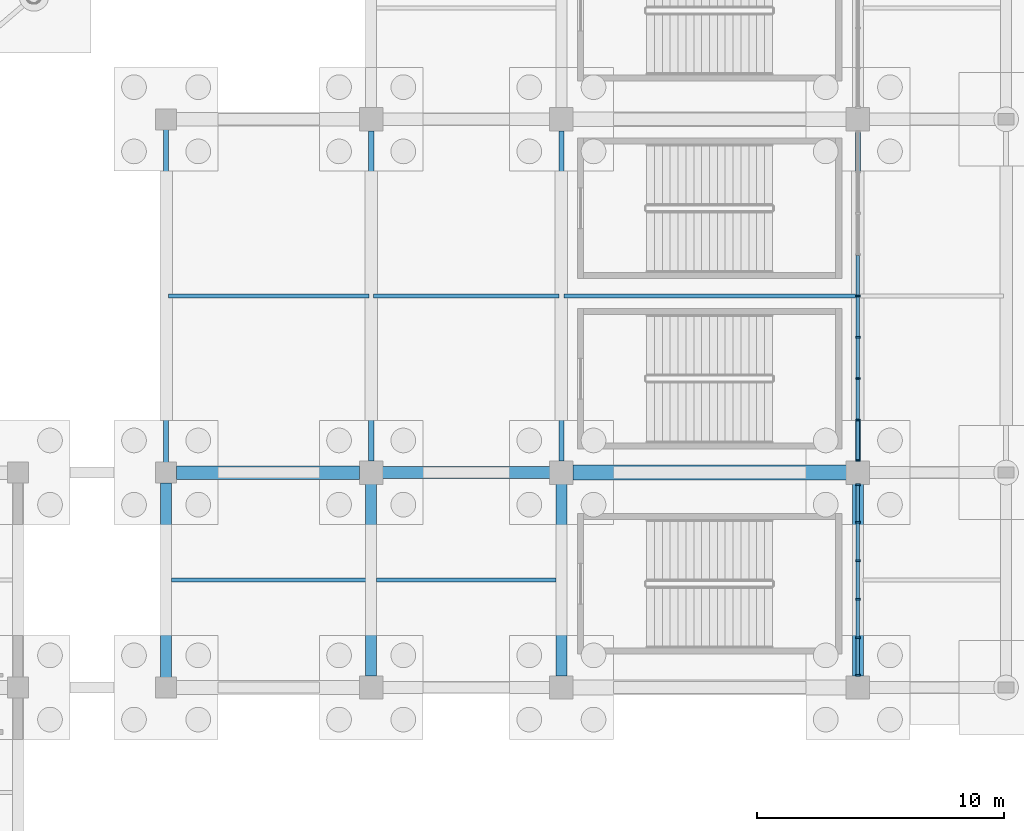
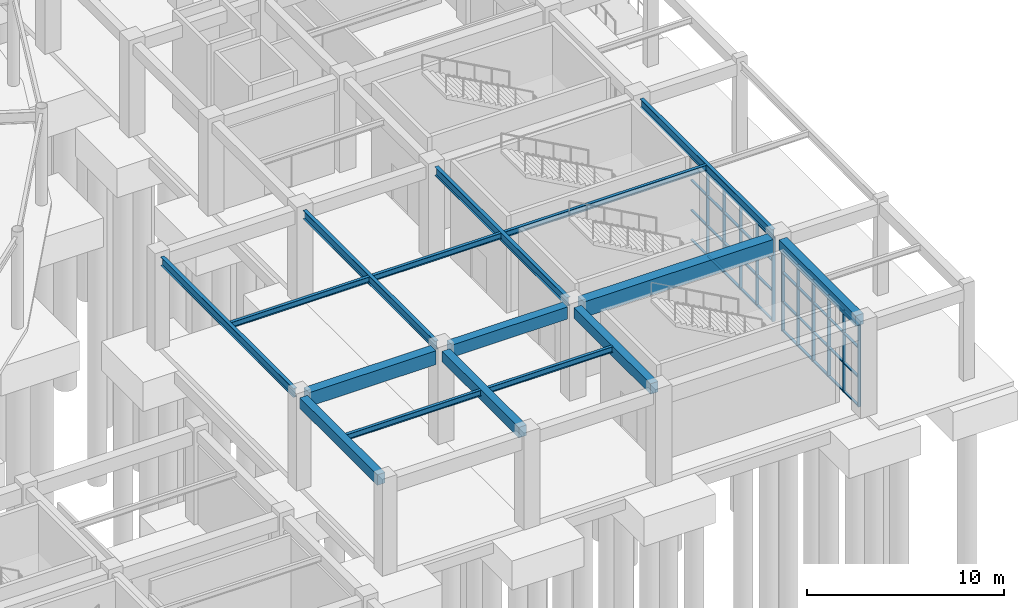
# One storey, part 53 of 121: 50 members, 16 beams, 2 elements without a shape of their own.
"""IFC4 building model written with IfcOpenShell, lengths in metres."""

from ifc_helpers import new_model, si_unit, direction, frame, origin, origin_2d, place, context, subcontext, project, spatial, rectangle, i_section, extrude, material, material_profile, profile_set, type_object, element, aggregate, save


model = new_model("IFC4")

# Units and contexts
model_context = context("Model", 3, precision=1e-05, world=origin(), true_north=direction((0.0, 1.0)))
body_context = subcontext(model_context, "Body", "Model", "MODEL_VIEW")
ifc_project = project(units=[si_unit("LENGTHUNIT", "METRE"), si_unit("AREAUNIT", "SQUARE_METRE"), si_unit("VOLUMEUNIT", "CUBIC_METRE"), si_unit("PLANEANGLEUNIT", "RADIAN"), si_unit("MASSUNIT", "GRAM", prefix="KILO")], contexts=[model_context])

# Site, building, storey
site_placement = place(None, origin())
site = spatial("IfcSite", under=ifc_project, at=site_placement, CompositionType="ELEMENT")
building_placement = place(site_placement, origin())
building = spatial("IfcBuilding", under=site, at=building_placement, Name="Cuetzalor Civic Arena", CompositionType="ELEMENT")
storey_placement = place(building_placement, origin())
storey = spatial("IfcBuildingStorey", under=building, at=storey_placement, Name="L00", CompositionType="ELEMENT", Elevation=0.0)

# Beams
ifc_material_1 = material(Name="Concrete C40/50", Category="concrete")
ifc_material_profile_1 = material_profile(ifc_material_1, rectangle(XDim=0.5, YDim=0.75, at=origin_2d()), Name="RC 500x750")
ifc_profile_set_1 = profile_set([ifc_material_profile_1], Name="Concrete C40/50")
beam_type_1 = type_object("IfcBeamType", Name="ConcreteFrameBeam_500x750", PredefinedType="BEAM", material=ifc_profile_set_1)
beam_1_placement = place(storey_placement, frame((56.764892578125, -48.300048828125, 5.324951171875), z_axis=(1.0, 0.0, 0.0), x_axis=(0.0, 1.0, 0.0)))
element("IfcBeam", 1, at=beam_1_placement, inside=storey, type_object=beam_type_1, Name="Frame Girder V4E-L00-X0140", PredefinedType="BEAM", context=body_context, shape_type="SweptSolid", body=[
    extrude(rectangle(XDim=0.5, YDim=0.75, at=origin_2d()), origin(), (0.0, 0.0, 1.0), 6.77001953125),
])
ifc_material_2 = material(Name="Concrete C40/50", Category="concrete")
ifc_material_profile_2 = material_profile(ifc_material_2, rectangle(XDim=0.550048828125, YDim=0.85009765625, at=origin_2d()), Name="RC 550x850")
ifc_profile_set_2 = profile_set([ifc_material_profile_2], Name="Concrete C40/50")
beam_type_2 = type_object("IfcBeamType", Name="ConcreteFrameBeam_550x850", PredefinedType="BEAM", material=ifc_profile_set_2)
beam_2_placement = place(storey_placement, frame((48.4150390625, -48.300048828125, 5.27490234375), z_axis=(1.0, 0.0, 0.0), x_axis=(0.0, 1.0, 0.0)))
element("IfcBeam", 2, at=beam_2_placement, inside=storey, type_object=beam_type_2, Name="Frame Girder V4E-L00-X0139", PredefinedType="BEAM", context=body_context, shape_type="SweptSolid", body=[
    extrude(rectangle(XDim=0.550048828125, YDim=0.85009765625, at=origin_2d()), origin(), (0.0, 0.0, 1.0), 7.419921875),
])
ifc_material_3 = material(Name="Concrete C40/50", Category="concrete")
ifc_material_profile_3 = material_profile(ifc_material_3, rectangle(XDim=0.60009765625, YDim=0.949951171875, at=origin_2d()), Name="RC 600x950")
ifc_profile_set_3 = profile_set([ifc_material_profile_3], Name="Concrete C40/50")
beam_type_3 = type_object("IfcBeamType", Name="ConcreteFrameBeam_600x950", PredefinedType="BEAM", material=ifc_profile_set_3)
beam_3_placement = place(storey_placement, frame((64.465087890625, -48.300048828125, 5.22509765625), z_axis=(1.0, 0.0, 0.0), x_axis=(0.0, 1.0, 0.0)))
element("IfcBeam", 3, at=beam_3_placement, inside=storey, type_object=beam_type_3, Name="Frame Girder V4E-L00-X0141", PredefinedType="BEAM", context=body_context, shape_type="SweptSolid", body=[
    extrude(rectangle(XDim=0.60009765625, YDim=0.949951171875, at=origin_2d()), origin(), (0.0, 0.0, 1.0), 11.06982421875),
])
ifc_material_4 = material(Name="Concrete C40/50", Category="concrete")
ifc_material_profile_4 = material_profile(ifc_material_4, rectangle(XDim=0.449951171875, YDim=0.64990234375, at=origin_2d()), Name="RC 450x650")
ifc_profile_set_4 = profile_set([ifc_material_profile_4], Name="Concrete C40/50")
beam_type_4 = type_object("IfcBeamType", Name="ConcreteTieBeam_450x650", PredefinedType="BEAM", material=ifc_profile_set_4)
beam_4_placement = place(storey_placement, frame((48.0, -56.5849609375, 5.375), z_axis=(0.0, 1.0, 0.0), x_axis=(-1.0, 0.0, 0.0)))
element("IfcBeam", 4, at=beam_4_placement, inside=storey, type_object=beam_type_4, Name="Frame Girder V4E-L00-Y0171", PredefinedType="BEAM", context=body_context, shape_type="SweptSolid", body=[
    extrude(rectangle(XDim=0.449951171875, YDim=0.64990234375, at=origin_2d()), origin(), (0.0, 0.0, 1.0), 7.869873046875),
])
for number, where, z_axis, x_axis, name in (
    (5, (56.300048828125, -56.534912109375, 5.375), (0.0, 1.0, 0.0), (-1.0, 0.0, 0.0), "Frame Girder V4E-L00-Y0173"),
    (6, (64.0, -56.534912109375, 5.375), (0.0, 1.0, 0.0), (-1.0, 0.0, 0.0), "Frame Girder V4E-L00-Y0183"),
    (7, (76.0, -56.534912109375, 5.375), (0.0, 1.0, 0.0), (-1.0, 0.0, 0.0), "Frame Girder V4E-L00-Y0193"),
):
    element("IfcBeam", number, at=place(storey_placement, frame(where, z_axis=z_axis, x_axis=x_axis)), inside=storey, type_object=beam_type_4, Name=name, PredefinedType="BEAM", context=body_context, shape_type="SweptSolid", body=[
        extrude(rectangle(XDim=0.449951171875, YDim=0.64990234375, at=origin_2d()), origin(), (0.0, 0.0, 1.0), 7.77001953125),
    ])

# Curtain wall, members
ifc_material_5 = material(Name="Anodised dark bronze aluminium and low-E solar glass", Category="aluminium")
curtain_wall_type_1 = type_object("IfcCurtainWallType", Name="UnitisedCW_7800x5050", PredefinedType="USERDEFINED", material=ifc_material_5)
curtain_wall_1_placement = place(storey_placement, origin())
curtain_wall_1 = element("IfcCurtainWall", 8, at=curtain_wall_1_placement, inside=storey, type_object=curtain_wall_type_1, Name="V4E Colonnade Curtain Wall L00-130", ObjectType="UNITISED CURTAIN WALL", PredefinedType="USERDEFINED")
ifc_material_6 = material(Name="Anodised dark bronze aluminium", Category="aluminium")
ifc_material_profile_5 = material_profile(ifc_material_6, rectangle(XDim=0.070068359375, YDim=0.179931640625, at=origin_2d()), Name="ALU MULLION 70x180")
ifc_profile_set_5 = profile_set([ifc_material_profile_5], Name="Anodised dark bronze aluminium")
member_type_1 = type_object("IfcMemberType", Name="CurtainWallMullion_65x180", PredefinedType="MULLION", material=ifc_profile_set_5)
member_1_placement = place(storey_placement, frame((76.0, -48.7919921875, 0.0), z_axis=(0.0, 0.0, 1.0), x_axis=(0.0, -1.0, 0.0)))
member_1 = element("IfcMember", 9, at=member_1_placement, type_object=member_type_1, Name="CW-31 mullion 1", PredefinedType="MULLION", context=body_context, shape_type="SweptSolid", body=[
    extrude(rectangle(XDim=0.070068359375, YDim=0.179931640625, at=origin_2d()), origin(), (0.0, 0.0, 1.0), 5.0400390625),
])
member_2_placement = place(storey_placement, frame((76.0, -50.314208984375, 0.0), z_axis=(0.0, 0.0, 1.0), x_axis=(0.0, -1.0, 0.0)))
member_2 = element("IfcMember", 10, at=member_2_placement, type_object=member_type_1, Name="CW-31 mullion 2", PredefinedType="MULLION", context=body_context, shape_type="SweptSolid", body=[
    extrude(rectangle(XDim=0.070068359375, YDim=0.179931640625, at=origin_2d()), origin(), (0.0, 0.0, 1.0), 5.0400390625),
])
member_3_placement = place(storey_placement, frame((76.0, -51.871337890625, 0.0), z_axis=(0.0, 0.0, 1.0), x_axis=(0.0, -1.0, 0.0)))
member_3 = element("IfcMember", 11, at=member_3_placement, type_object=member_type_1, Name="CW-31 mullion 3", PredefinedType="MULLION", context=body_context, shape_type="SweptSolid", body=[
    extrude(rectangle(XDim=0.070068359375, YDim=0.179931640625, at=origin_2d()), origin(), (0.0, 0.0, 1.0), 5.0400390625),
])
member_4_placement = place(storey_placement, frame((76.0, -53.4287109375, 0.0), z_axis=(0.0, 0.0, 1.0), x_axis=(0.0, -1.0, 0.0)))
member_4 = element("IfcMember", 12, at=member_4_placement, type_object=member_type_1, Name="CW-31 mullion 4", PredefinedType="MULLION", context=body_context, shape_type="SweptSolid", body=[
    extrude(rectangle(XDim=0.070068359375, YDim=0.179931640625, at=origin_2d()), origin(), (0.0, 0.0, 1.0), 5.0400390625),
])
member_5_placement = place(storey_placement, frame((76.0, -54.98583984375, 0.0), z_axis=(0.0, 0.0, 1.0), x_axis=(0.0, -1.0, 0.0)))
member_5 = element("IfcMember", 13, at=member_5_placement, type_object=member_type_1, Name="CW-31 mullion 5", PredefinedType="MULLION", context=body_context, shape_type="SweptSolid", body=[
    extrude(rectangle(XDim=0.070068359375, YDim=0.179931640625, at=origin_2d()), origin(), (0.0, 0.0, 1.0), 5.0400390625),
])
member_6_placement = place(storey_placement, frame((76.0, -56.508056640625, 0.0), z_axis=(0.0, 0.0, 1.0), x_axis=(0.0, -1.0, 0.0)))
member_6 = element("IfcMember", 14, at=member_6_placement, type_object=member_type_1, Name="CW-31 mullion 6", PredefinedType="MULLION", context=body_context, shape_type="SweptSolid", body=[
    extrude(rectangle(XDim=0.070068359375, YDim=0.179931640625, at=origin_2d()), origin(), (0.0, 0.0, 1.0), 5.0400390625),
])

ifc_material_7 = material(Name="Anodised dark bronze aluminium and low-E solar glass", Category="aluminium")
curtain_wall_type_2 = type_object("IfcCurtainWallType", Name="UnitisedCW_13400x5150", PredefinedType="USERDEFINED", material=ifc_material_7)
curtain_wall_2_placement = place(storey_placement, origin())
curtain_wall_2 = element("IfcCurtainWall", 15, at=curtain_wall_2_placement, inside=storey, type_object=curtain_wall_type_2, Name="V4E Colonnade Curtain Wall L00-131", ObjectType="UNITISED CURTAIN WALL", PredefinedType="USERDEFINED")
member_7_placement = place(storey_placement, frame((76.0, -41.14990234375, 0.0), z_axis=(0.0, 0.0, 1.0), x_axis=(0.0, -1.0, 0.0)))
member_7 = element("IfcMember", 16, at=member_7_placement, type_object=member_type_1, Name="CW-32 mullion 5", PredefinedType="MULLION", context=body_context, shape_type="SweptSolid", body=[
    extrude(rectangle(XDim=0.070068359375, YDim=0.179931640625, at=origin_2d()), origin(), (0.0, 0.0, 1.0), 5.156982421875),
])
member_8_placement = place(storey_placement, frame((76.0, -42.8232421875, 0.0), z_axis=(0.0, 0.0, 1.0), x_axis=(0.0, -1.0, 0.0)))
member_8 = element("IfcMember", 17, at=member_8_placement, type_object=member_type_1, Name="CW-32 mullion 6", PredefinedType="MULLION", context=body_context, shape_type="SweptSolid", body=[
    extrude(rectangle(XDim=0.070068359375, YDim=0.179931640625, at=origin_2d()), origin(), (0.0, 0.0, 1.0), 5.156982421875),
])
member_9_placement = place(storey_placement, frame((76.0, -44.49658203125, 0.0), z_axis=(0.0, 0.0, 1.0), x_axis=(0.0, -1.0, 0.0)))
member_9 = element("IfcMember", 18, at=member_9_placement, type_object=member_type_1, Name="CW-32 mullion 7", PredefinedType="MULLION", context=body_context, shape_type="SweptSolid", body=[
    extrude(rectangle(XDim=0.070068359375, YDim=0.179931640625, at=origin_2d()), origin(), (0.0, 0.0, 1.0), 5.156982421875),
])
member_10_placement = place(storey_placement, frame((76.0, -46.169677734375, 0.0), z_axis=(0.0, 0.0, 1.0), x_axis=(0.0, -1.0, 0.0)))
member_10 = element("IfcMember", 19, at=member_10_placement, type_object=member_type_1, Name="CW-32 mullion 8", PredefinedType="MULLION", context=body_context, shape_type="SweptSolid", body=[
    extrude(rectangle(XDim=0.070068359375, YDim=0.179931640625, at=origin_2d()), origin(), (0.0, 0.0, 1.0), 5.156982421875),
])
member_11_placement = place(storey_placement, frame((76.0, -47.80810546875, 0.0), z_axis=(0.0, 0.0, 1.0), x_axis=(0.0, -1.0, 0.0)))
member_11 = element("IfcMember", 20, at=member_11_placement, type_object=member_type_1, Name="CW-32 mullion 9", PredefinedType="MULLION", context=body_context, shape_type="SweptSolid", body=[
    extrude(rectangle(XDim=0.070068359375, YDim=0.179931640625, at=origin_2d()), origin(), (0.0, 0.0, 1.0), 5.156982421875),
])

# Member
ifc_material_8 = material(Name="Anodised dark bronze aluminium", Category="aluminium")
ifc_material_profile_6 = material_profile(ifc_material_8, rectangle(XDim=0.139892578125, YDim=0.070068359375, at=origin_2d()), Name="ALU TRANSOM 70x140")
ifc_profile_set_6 = profile_set([ifc_material_profile_6], Name="Anodised dark bronze aluminium")
member_type_2 = type_object("IfcMemberType", Name="CurtainWallTransom_65x140", PredefinedType="USERDEFINED", material=ifc_profile_set_6)
member_12_placement = place(storey_placement, frame((76.0, -48.826904296875, 0.034912109375), z_axis=(0.0, -1.0, 0.0), x_axis=(1.0, 0.0, 0.0)))
member_12 = element("IfcMember", 21, at=member_12_placement, type_object=member_type_2, Name="CW-31 transom 1.1", ObjectType="TRANSOM", PredefinedType="USERDEFINED", context=body_context, shape_type="SweptSolid", body=[
    extrude(rectangle(XDim=0.139892578125, YDim=0.070068359375, at=origin_2d()), origin(), (0.0, 0.0, 1.0), 1.452392578125),
])

member_13_placement = place(storey_placement, frame((76.0, -48.826904296875, 1.81396484375), z_axis=(0.0, -1.0, 0.0), x_axis=(1.0, 0.0, 0.0)))
member_13 = element("IfcMember", 22, at=member_13_placement, type_object=member_type_2, Name="CW-31 transom 1.2", ObjectType="TRANSOM", PredefinedType="USERDEFINED", context=body_context, shape_type="SweptSolid", body=[
    extrude(rectangle(XDim=0.139892578125, YDim=0.070068359375, at=origin_2d()), origin(), (0.0, 0.0, 1.0), 1.452392578125),
])

member_14_placement = place(storey_placement, frame((76.0, -48.826904296875, 3.62890625), z_axis=(0.0, -1.0, 0.0), x_axis=(1.0, 0.0, 0.0)))
member_14 = element("IfcMember", 23, at=member_14_placement, type_object=member_type_2, Name="CW-31 transom 1.3", ObjectType="TRANSOM", PredefinedType="USERDEFINED", context=body_context, shape_type="SweptSolid", body=[
    extrude(rectangle(XDim=0.139892578125, YDim=0.070068359375, at=origin_2d()), origin(), (0.0, 0.0, 1.0), 1.452392578125),
])

member_15_placement = place(storey_placement, frame((76.0, -48.826904296875, 5.0048828125), z_axis=(0.0, -1.0, 0.0), x_axis=(1.0, 0.0, 0.0)))
member_15 = element("IfcMember", 24, at=member_15_placement, type_object=member_type_2, Name="CW-31 transom 1.4", ObjectType="TRANSOM", PredefinedType="USERDEFINED", context=body_context, shape_type="SweptSolid", body=[
    extrude(rectangle(XDim=0.139892578125, YDim=0.070068359375, at=origin_2d()), origin(), (0.0, 0.0, 1.0), 1.452392578125),
])

member_16_placement = place(storey_placement, frame((76.0, -50.34912109375, 0.034912109375), z_axis=(0.0, -1.0, 0.0), x_axis=(1.0, 0.0, 0.0)))
member_16 = element("IfcMember", 25, at=member_16_placement, type_object=member_type_2, Name="CW-31 transom 2.1", ObjectType="TRANSOM", PredefinedType="USERDEFINED", context=body_context, shape_type="SweptSolid", body=[
    extrude(rectangle(XDim=0.139892578125, YDim=0.070068359375, at=origin_2d()), origin(), (0.0, 0.0, 1.0), 1.4873046875),
])

member_17_placement = place(storey_placement, frame((76.0, -50.34912109375, 1.81396484375), z_axis=(0.0, -1.0, 0.0), x_axis=(1.0, 0.0, 0.0)))
member_17 = element("IfcMember", 26, at=member_17_placement, type_object=member_type_2, Name="CW-31 transom 2.2", ObjectType="TRANSOM", PredefinedType="USERDEFINED", context=body_context, shape_type="SweptSolid", body=[
    extrude(rectangle(XDim=0.139892578125, YDim=0.070068359375, at=origin_2d()), origin(), (0.0, 0.0, 1.0), 1.4873046875),
])

member_18_placement = place(storey_placement, frame((76.0, -50.34912109375, 3.62890625), z_axis=(0.0, -1.0, 0.0), x_axis=(1.0, 0.0, 0.0)))
member_18 = element("IfcMember", 27, at=member_18_placement, type_object=member_type_2, Name="CW-31 transom 2.3", ObjectType="TRANSOM", PredefinedType="USERDEFINED", context=body_context, shape_type="SweptSolid", body=[
    extrude(rectangle(XDim=0.139892578125, YDim=0.070068359375, at=origin_2d()), origin(), (0.0, 0.0, 1.0), 1.4873046875),
])

member_19_placement = place(storey_placement, frame((76.0, -50.34912109375, 5.0048828125), z_axis=(0.0, -1.0, 0.0), x_axis=(1.0, 0.0, 0.0)))
member_19 = element("IfcMember", 28, at=member_19_placement, type_object=member_type_2, Name="CW-31 transom 2.4", ObjectType="TRANSOM", PredefinedType="USERDEFINED", context=body_context, shape_type="SweptSolid", body=[
    extrude(rectangle(XDim=0.139892578125, YDim=0.070068359375, at=origin_2d()), origin(), (0.0, 0.0, 1.0), 1.4873046875),
])

member_20_placement = place(storey_placement, frame((76.0, -51.906494140625, 0.034912109375), z_axis=(0.0, -1.0, 0.0), x_axis=(1.0, 0.0, 0.0)))
member_20 = element("IfcMember", 29, at=member_20_placement, type_object=member_type_2, Name="CW-31 transom 3.1", ObjectType="TRANSOM", PredefinedType="USERDEFINED", context=body_context, shape_type="SweptSolid", body=[
    extrude(rectangle(XDim=0.139892578125, YDim=0.070068359375, at=origin_2d()), origin(), (0.0, 0.0, 1.0), 1.487060546875),
])

member_21_placement = place(storey_placement, frame((76.0, -51.906494140625, 1.81396484375), z_axis=(0.0, -1.0, 0.0), x_axis=(1.0, 0.0, 0.0)))
member_21 = element("IfcMember", 30, at=member_21_placement, type_object=member_type_2, Name="CW-31 transom 3.2", ObjectType="TRANSOM", PredefinedType="USERDEFINED", context=body_context, shape_type="SweptSolid", body=[
    extrude(rectangle(XDim=0.139892578125, YDim=0.070068359375, at=origin_2d()), origin(), (0.0, 0.0, 1.0), 1.487060546875),
])

member_22_placement = place(storey_placement, frame((76.0, -51.906494140625, 3.62890625), z_axis=(0.0, -1.0, 0.0), x_axis=(1.0, 0.0, 0.0)))
member_22 = element("IfcMember", 31, at=member_22_placement, type_object=member_type_2, Name="CW-31 transom 3.3", ObjectType="TRANSOM", PredefinedType="USERDEFINED", context=body_context, shape_type="SweptSolid", body=[
    extrude(rectangle(XDim=0.139892578125, YDim=0.070068359375, at=origin_2d()), origin(), (0.0, 0.0, 1.0), 1.487060546875),
])

member_23_placement = place(storey_placement, frame((76.0, -51.906494140625, 5.0048828125), z_axis=(0.0, -1.0, 0.0), x_axis=(1.0, 0.0, 0.0)))
member_23 = element("IfcMember", 32, at=member_23_placement, type_object=member_type_2, Name="CW-31 transom 3.4", ObjectType="TRANSOM", PredefinedType="USERDEFINED", context=body_context, shape_type="SweptSolid", body=[
    extrude(rectangle(XDim=0.139892578125, YDim=0.070068359375, at=origin_2d()), origin(), (0.0, 0.0, 1.0), 1.487060546875),
])

member_24_placement = place(storey_placement, frame((76.0, -53.463623046875, 0.034912109375), z_axis=(0.0, -1.0, 0.0), x_axis=(1.0, 0.0, 0.0)))
member_24 = element("IfcMember", 33, at=member_24_placement, type_object=member_type_2, Name="CW-31 transom 4.1", ObjectType="TRANSOM", PredefinedType="USERDEFINED", context=body_context, shape_type="SweptSolid", body=[
    extrude(rectangle(XDim=0.139892578125, YDim=0.070068359375, at=origin_2d()), origin(), (0.0, 0.0, 1.0), 1.487060546875),
])

member_25_placement = place(storey_placement, frame((76.0, -53.463623046875, 1.81396484375), z_axis=(0.0, -1.0, 0.0), x_axis=(1.0, 0.0, 0.0)))
member_25 = element("IfcMember", 34, at=member_25_placement, type_object=member_type_2, Name="CW-31 transom 4.2", ObjectType="TRANSOM", PredefinedType="USERDEFINED", context=body_context, shape_type="SweptSolid", body=[
    extrude(rectangle(XDim=0.139892578125, YDim=0.070068359375, at=origin_2d()), origin(), (0.0, 0.0, 1.0), 1.487060546875),
])

member_26_placement = place(storey_placement, frame((76.0, -53.463623046875, 3.62890625), z_axis=(0.0, -1.0, 0.0), x_axis=(1.0, 0.0, 0.0)))
member_26 = element("IfcMember", 35, at=member_26_placement, type_object=member_type_2, Name="CW-31 transom 4.3", ObjectType="TRANSOM", PredefinedType="USERDEFINED", context=body_context, shape_type="SweptSolid", body=[
    extrude(rectangle(XDim=0.139892578125, YDim=0.070068359375, at=origin_2d()), origin(), (0.0, 0.0, 1.0), 1.487060546875),
])

member_27_placement = place(storey_placement, frame((76.0, -53.463623046875, 5.0048828125), z_axis=(0.0, -1.0, 0.0), x_axis=(1.0, 0.0, 0.0)))
member_27 = element("IfcMember", 36, at=member_27_placement, type_object=member_type_2, Name="CW-31 transom 4.4", ObjectType="TRANSOM", PredefinedType="USERDEFINED", context=body_context, shape_type="SweptSolid", body=[
    extrude(rectangle(XDim=0.139892578125, YDim=0.070068359375, at=origin_2d()), origin(), (0.0, 0.0, 1.0), 1.487060546875),
])

member_28_placement = place(storey_placement, frame((76.0, -55.020751953125, 0.034912109375), z_axis=(0.0, -1.0, 0.0), x_axis=(1.0, 0.0, 0.0)))
member_28 = element("IfcMember", 37, at=member_28_placement, type_object=member_type_2, Name="CW-31 transom 5.1", ObjectType="TRANSOM", PredefinedType="USERDEFINED", context=body_context, shape_type="SweptSolid", body=[
    extrude(rectangle(XDim=0.139892578125, YDim=0.070068359375, at=origin_2d()), origin(), (0.0, 0.0, 1.0), 1.4521484375),
])

member_29_placement = place(storey_placement, frame((76.0, -55.020751953125, 1.81396484375), z_axis=(0.0, -1.0, 0.0), x_axis=(1.0, 0.0, 0.0)))
member_29 = element("IfcMember", 38, at=member_29_placement, type_object=member_type_2, Name="CW-31 transom 5.2", ObjectType="TRANSOM", PredefinedType="USERDEFINED", context=body_context, shape_type="SweptSolid", body=[
    extrude(rectangle(XDim=0.139892578125, YDim=0.070068359375, at=origin_2d()), origin(), (0.0, 0.0, 1.0), 1.4521484375),
])

member_30_placement = place(storey_placement, frame((76.0, -55.020751953125, 3.62890625), z_axis=(0.0, -1.0, 0.0), x_axis=(1.0, 0.0, 0.0)))
member_30 = element("IfcMember", 39, at=member_30_placement, type_object=member_type_2, Name="CW-31 transom 5.3", ObjectType="TRANSOM", PredefinedType="USERDEFINED", context=body_context, shape_type="SweptSolid", body=[
    extrude(rectangle(XDim=0.139892578125, YDim=0.070068359375, at=origin_2d()), origin(), (0.0, 0.0, 1.0), 1.4521484375),
])

member_31_placement = place(storey_placement, frame((76.0, -55.020751953125, 5.0048828125), z_axis=(0.0, -1.0, 0.0), x_axis=(1.0, 0.0, 0.0)))
member_31 = element("IfcMember", 40, at=member_31_placement, type_object=member_type_2, Name="CW-31 transom 5.4", ObjectType="TRANSOM", PredefinedType="USERDEFINED", context=body_context, shape_type="SweptSolid", body=[
    extrude(rectangle(XDim=0.139892578125, YDim=0.070068359375, at=origin_2d()), origin(), (0.0, 0.0, 1.0), 1.4521484375),
])

aggregate(curtain_wall_1, [member_1, member_2, member_3, member_4, member_5, member_6, member_12, member_13, member_14, member_15, member_16, member_17, member_18, member_19, member_20, member_21, member_22, member_23, member_24, member_25, member_26, member_27, member_28, member_29, member_30, member_31])

member_32_placement = place(storey_placement, frame((76.0, -39.51171875, 0.034912109375), z_axis=(0.0, -1.0, 0.0), x_axis=(1.0, 0.0, 0.0)))
member_32 = element("IfcMember", 41, at=member_32_placement, type_object=member_type_2, Name="CW-32 transom 4.1", ObjectType="TRANSOM", PredefinedType="USERDEFINED", context=body_context, shape_type="SweptSolid", body=[
    extrude(rectangle(XDim=0.139892578125, YDim=0.070068359375, at=origin_2d()), origin(), (0.0, 0.0, 1.0), 1.603271484375),
])

member_33_placement = place(storey_placement, frame((76.0, -39.51171875, 1.85693359375), z_axis=(0.0, -1.0, 0.0), x_axis=(1.0, 0.0, 0.0)))
member_33 = element("IfcMember", 42, at=member_33_placement, type_object=member_type_2, Name="CW-32 transom 4.2", ObjectType="TRANSOM", PredefinedType="USERDEFINED", context=body_context, shape_type="SweptSolid", body=[
    extrude(rectangle(XDim=0.139892578125, YDim=0.070068359375, at=origin_2d()), origin(), (0.0, 0.0, 1.0), 1.603271484375),
])

member_34_placement = place(storey_placement, frame((76.0, -39.51171875, 3.712890625), z_axis=(0.0, -1.0, 0.0), x_axis=(1.0, 0.0, 0.0)))
member_34 = element("IfcMember", 43, at=member_34_placement, type_object=member_type_2, Name="CW-32 transom 4.3", ObjectType="TRANSOM", PredefinedType="USERDEFINED", context=body_context, shape_type="SweptSolid", body=[
    extrude(rectangle(XDim=0.139892578125, YDim=0.070068359375, at=origin_2d()), origin(), (0.0, 0.0, 1.0), 1.603271484375),
])

member_35_placement = place(storey_placement, frame((76.0, -41.18505859375, 0.034912109375), z_axis=(0.0, -1.0, 0.0), x_axis=(1.0, 0.0, 0.0)))
member_35 = element("IfcMember", 44, at=member_35_placement, type_object=member_type_2, Name="CW-32 transom 5.1", ObjectType="TRANSOM", PredefinedType="USERDEFINED", context=body_context, shape_type="SweptSolid", body=[
    extrude(rectangle(XDim=0.139892578125, YDim=0.070068359375, at=origin_2d()), origin(), (0.0, 0.0, 1.0), 1.603271484375),
])

member_36_placement = place(storey_placement, frame((76.0, -41.18505859375, 1.85693359375), z_axis=(0.0, -1.0, 0.0), x_axis=(1.0, 0.0, 0.0)))
member_36 = element("IfcMember", 45, at=member_36_placement, type_object=member_type_2, Name="CW-32 transom 5.2", ObjectType="TRANSOM", PredefinedType="USERDEFINED", context=body_context, shape_type="SweptSolid", body=[
    extrude(rectangle(XDim=0.139892578125, YDim=0.070068359375, at=origin_2d()), origin(), (0.0, 0.0, 1.0), 1.603271484375),
])

member_37_placement = place(storey_placement, frame((76.0, -41.18505859375, 3.712890625), z_axis=(0.0, -1.0, 0.0), x_axis=(1.0, 0.0, 0.0)))
member_37 = element("IfcMember", 46, at=member_37_placement, type_object=member_type_2, Name="CW-32 transom 5.3", ObjectType="TRANSOM", PredefinedType="USERDEFINED", context=body_context, shape_type="SweptSolid", body=[
    extrude(rectangle(XDim=0.139892578125, YDim=0.070068359375, at=origin_2d()), origin(), (0.0, 0.0, 1.0), 1.603271484375),
])

member_38_placement = place(storey_placement, frame((76.0, -41.18505859375, 5.1220703125), z_axis=(0.0, -1.0, 0.0), x_axis=(1.0, 0.0, 0.0)))
member_38 = element("IfcMember", 47, at=member_38_placement, type_object=member_type_2, Name="CW-32 transom 5.4", ObjectType="TRANSOM", PredefinedType="USERDEFINED", context=body_context, shape_type="SweptSolid", body=[
    extrude(rectangle(XDim=0.139892578125, YDim=0.070068359375, at=origin_2d()), origin(), (0.0, 0.0, 1.0), 1.603271484375),
])

member_39_placement = place(storey_placement, frame((76.0, -42.858154296875, 0.034912109375), z_axis=(0.0, -1.0, 0.0), x_axis=(1.0, 0.0, 0.0)))
member_39 = element("IfcMember", 48, at=member_39_placement, type_object=member_type_2, Name="CW-32 transom 6.1", ObjectType="TRANSOM", PredefinedType="USERDEFINED", context=body_context, shape_type="SweptSolid", body=[
    extrude(rectangle(XDim=0.139892578125, YDim=0.070068359375, at=origin_2d()), origin(), (0.0, 0.0, 1.0), 1.603271484375),
])

member_40_placement = place(storey_placement, frame((76.0, -42.858154296875, 1.85693359375), z_axis=(0.0, -1.0, 0.0), x_axis=(1.0, 0.0, 0.0)))
member_40 = element("IfcMember", 49, at=member_40_placement, type_object=member_type_2, Name="CW-32 transom 6.2", ObjectType="TRANSOM", PredefinedType="USERDEFINED", context=body_context, shape_type="SweptSolid", body=[
    extrude(rectangle(XDim=0.139892578125, YDim=0.070068359375, at=origin_2d()), origin(), (0.0, 0.0, 1.0), 1.603271484375),
])

member_41_placement = place(storey_placement, frame((76.0, -42.858154296875, 3.712890625), z_axis=(0.0, -1.0, 0.0), x_axis=(1.0, 0.0, 0.0)))
member_41 = element("IfcMember", 50, at=member_41_placement, type_object=member_type_2, Name="CW-32 transom 6.3", ObjectType="TRANSOM", PredefinedType="USERDEFINED", context=body_context, shape_type="SweptSolid", body=[
    extrude(rectangle(XDim=0.139892578125, YDim=0.070068359375, at=origin_2d()), origin(), (0.0, 0.0, 1.0), 1.603271484375),
])

member_42_placement = place(storey_placement, frame((76.0, -42.858154296875, 5.1220703125), z_axis=(0.0, -1.0, 0.0), x_axis=(1.0, 0.0, 0.0)))
member_42 = element("IfcMember", 51, at=member_42_placement, type_object=member_type_2, Name="CW-32 transom 6.4", ObjectType="TRANSOM", PredefinedType="USERDEFINED", context=body_context, shape_type="SweptSolid", body=[
    extrude(rectangle(XDim=0.139892578125, YDim=0.070068359375, at=origin_2d()), origin(), (0.0, 0.0, 1.0), 1.603271484375),
])

member_43_placement = place(storey_placement, frame((76.0, -44.531494140625, 0.034912109375), z_axis=(0.0, -1.0, 0.0), x_axis=(1.0, 0.0, 0.0)))
member_43 = element("IfcMember", 52, at=member_43_placement, type_object=member_type_2, Name="CW-32 transom 7.1", ObjectType="TRANSOM", PredefinedType="USERDEFINED", context=body_context, shape_type="SweptSolid", body=[
    extrude(rectangle(XDim=0.139892578125, YDim=0.070068359375, at=origin_2d()), origin(), (0.0, 0.0, 1.0), 1.603271484375),
])

member_44_placement = place(storey_placement, frame((76.0, -44.531494140625, 1.85693359375), z_axis=(0.0, -1.0, 0.0), x_axis=(1.0, 0.0, 0.0)))
member_44 = element("IfcMember", 53, at=member_44_placement, type_object=member_type_2, Name="CW-32 transom 7.2", ObjectType="TRANSOM", PredefinedType="USERDEFINED", context=body_context, shape_type="SweptSolid", body=[
    extrude(rectangle(XDim=0.139892578125, YDim=0.070068359375, at=origin_2d()), origin(), (0.0, 0.0, 1.0), 1.603271484375),
])

member_45_placement = place(storey_placement, frame((76.0, -44.531494140625, 3.712890625), z_axis=(0.0, -1.0, 0.0), x_axis=(1.0, 0.0, 0.0)))
member_45 = element("IfcMember", 54, at=member_45_placement, type_object=member_type_2, Name="CW-32 transom 7.3", ObjectType="TRANSOM", PredefinedType="USERDEFINED", context=body_context, shape_type="SweptSolid", body=[
    extrude(rectangle(XDim=0.139892578125, YDim=0.070068359375, at=origin_2d()), origin(), (0.0, 0.0, 1.0), 1.603271484375),
])

member_46_placement = place(storey_placement, frame((76.0, -44.531494140625, 5.1220703125), z_axis=(0.0, -1.0, 0.0), x_axis=(1.0, 0.0, 0.0)))
member_46 = element("IfcMember", 55, at=member_46_placement, type_object=member_type_2, Name="CW-32 transom 7.4", ObjectType="TRANSOM", PredefinedType="USERDEFINED", context=body_context, shape_type="SweptSolid", body=[
    extrude(rectangle(XDim=0.139892578125, YDim=0.070068359375, at=origin_2d()), origin(), (0.0, 0.0, 1.0), 1.603271484375),
])

member_47_placement = place(storey_placement, frame((76.0, -46.204833984375, 0.034912109375), z_axis=(0.0, -1.0, 0.0), x_axis=(1.0, 0.0, 0.0)))
member_47 = element("IfcMember", 56, at=member_47_placement, type_object=member_type_2, Name="CW-32 transom 8.1", ObjectType="TRANSOM", PredefinedType="USERDEFINED", context=body_context, shape_type="SweptSolid", body=[
    extrude(rectangle(XDim=0.139892578125, YDim=0.070068359375, at=origin_2d()), origin(), (0.0, 0.0, 1.0), 1.568115234375),
])

member_48_placement = place(storey_placement, frame((76.0, -46.204833984375, 1.85693359375), z_axis=(0.0, -1.0, 0.0), x_axis=(1.0, 0.0, 0.0)))
member_48 = element("IfcMember", 57, at=member_48_placement, type_object=member_type_2, Name="CW-32 transom 8.2", ObjectType="TRANSOM", PredefinedType="USERDEFINED", context=body_context, shape_type="SweptSolid", body=[
    extrude(rectangle(XDim=0.139892578125, YDim=0.070068359375, at=origin_2d()), origin(), (0.0, 0.0, 1.0), 1.568115234375),
])

member_49_placement = place(storey_placement, frame((76.0, -46.204833984375, 3.712890625), z_axis=(0.0, -1.0, 0.0), x_axis=(1.0, 0.0, 0.0)))
member_49 = element("IfcMember", 58, at=member_49_placement, type_object=member_type_2, Name="CW-32 transom 8.3", ObjectType="TRANSOM", PredefinedType="USERDEFINED", context=body_context, shape_type="SweptSolid", body=[
    extrude(rectangle(XDim=0.139892578125, YDim=0.070068359375, at=origin_2d()), origin(), (0.0, 0.0, 1.0), 1.568115234375),
])

member_50_placement = place(storey_placement, frame((76.0, -46.204833984375, 5.1220703125), z_axis=(0.0, -1.0, 0.0), x_axis=(1.0, 0.0, 0.0)))
member_50 = element("IfcMember", 59, at=member_50_placement, type_object=member_type_2, Name="CW-32 transom 8.4", ObjectType="TRANSOM", PredefinedType="USERDEFINED", context=body_context, shape_type="SweptSolid", body=[
    extrude(rectangle(XDim=0.139892578125, YDim=0.070068359375, at=origin_2d()), origin(), (0.0, 0.0, 1.0), 1.568115234375),
])

aggregate(curtain_wall_2, [member_7, member_8, member_9, member_10, member_11, member_32, member_33, member_34, member_35, member_36, member_37, member_38, member_39, member_40, member_41, member_42, member_43, member_44, member_45, member_46, member_47, member_48, member_49, member_50])

# Beams
ifc_material_9 = material(Name="Steel S355", Category="steel")
ifc_material_profile_7 = material_profile(ifc_material_9, i_section(OverallWidth=0.1708984375, OverallDepth=0.35498046875, WebThickness=0.007080078125, FlangeThickness=0.01171875, at=origin_2d()), Name="W360x51")
ifc_profile_set_7 = profile_set([ifc_material_profile_7], Name="Steel S355")
beam_type_5 = type_object("IfcBeamType", Name="SecondaryFloorJoist_W360", PredefinedType="JOIST", material=ifc_profile_set_7)
beam_5_placement = place(storey_placement, frame((48.217041015625, -52.64990234375, 5.5224609375), z_axis=(1.0, 0.0, 0.0), x_axis=(0.0, 1.0, 0.0)))
element("IfcBeam", 60, at=beam_5_placement, inside=storey, type_object=beam_type_5, Name="Secondary Floor Joist V4E-L00-0043", PredefinedType="JOIST", context=body_context, shape_type="SweptSolid", body=[
    extrude(i_section(OverallWidth=0.1708984375, OverallDepth=0.35498046875, WebThickness=0.007080078125, FlangeThickness=0.01171875, at=origin_2d()), origin(), (0.0, 0.0, 1.0), 7.865966796875),
])
beam_6_placement = place(storey_placement, frame((48.096435546875, -41.14990234375, 5.5224609375), z_axis=(1.0, 0.0, 0.0), x_axis=(0.0, 1.0, 0.0)))
element("IfcBeam", 61, at=beam_6_placement, inside=storey, type_object=beam_type_5, Name="Secondary Floor Joist V4E-L00-0044", PredefinedType="JOIST", context=body_context, shape_type="SweptSolid", body=[
    extrude(i_section(OverallWidth=0.1708984375, OverallDepth=0.35498046875, WebThickness=0.007080078125, FlangeThickness=0.01171875, at=origin_2d()), origin(), (0.0, 0.0, 1.0), 8.107177734375),
])
beam_7_placement = place(storey_placement, frame((56.51708984375, -52.64990234375, 5.5224609375), z_axis=(1.0, 0.0, 0.0), x_axis=(0.0, 1.0, 0.0)))
element("IfcBeam", 62, at=beam_7_placement, inside=storey, type_object=beam_type_5, Name="Secondary Floor Joist V4E-L00-0045", PredefinedType="JOIST", context=body_context, shape_type="SweptSolid", body=[
    extrude(i_section(OverallWidth=0.1708984375, OverallDepth=0.35498046875, WebThickness=0.007080078125, FlangeThickness=0.01171875, at=origin_2d()), origin(), (0.0, 0.0, 1.0), 7.265869140625),
])
beam_8_placement = place(storey_placement, frame((56.396484375, -41.14990234375, 5.5224609375), z_axis=(1.0, 0.0, 0.0), x_axis=(0.0, 1.0, 0.0)))
element("IfcBeam", 63, at=beam_8_placement, inside=storey, type_object=beam_type_5, Name="Secondary Floor Joist V4E-L00-0046", PredefinedType="JOIST", context=body_context, shape_type="SweptSolid", body=[
    extrude(i_section(OverallWidth=0.1708984375, OverallDepth=0.35498046875, WebThickness=0.007080078125, FlangeThickness=0.01171875, at=origin_2d()), origin(), (0.0, 0.0, 1.0), 7.507080078125),
])
beam_9_placement = place(storey_placement, frame((64.096435546875, -41.14990234375, 5.5224609375), z_axis=(1.0, 0.0, 0.0), x_axis=(0.0, 1.0, 0.0)))
element("IfcBeam", 64, at=beam_9_placement, inside=storey, type_object=beam_type_5, Name="Secondary Floor Joist V4E-L00-0054", PredefinedType="JOIST", context=body_context, shape_type="SweptSolid", body=[
    extrude(i_section(OverallWidth=0.1708984375, OverallDepth=0.35498046875, WebThickness=0.007080078125, FlangeThickness=0.01171875, at=origin_2d()), origin(), (0.0, 0.0, 1.0), 11.80712890625),
])
ifc_material_10 = material(Name="Steel S355", Category="steel")
ifc_material_profile_8 = material_profile(ifc_material_10, i_section(OverallWidth=0.208984375, OverallDepth=0.532958984375, WebThickness=0.01025390625, FlangeThickness=0.015625, at=origin_2d()), Name="W530x92")
ifc_profile_set_8 = profile_set([ifc_material_profile_8], Name="Steel S355")
beam_type_6 = type_object("IfcBeamType", Name="SteelCollarGirder_W530", PredefinedType="BEAM", material=ifc_profile_set_8)
beam_10_placement = place(storey_placement, frame((48.0, -47.885009765625, 5.43359375), z_axis=(0.0, 1.0, 0.0), x_axis=(-1.0, 0.0, 0.0)))
element("IfcBeam", 65, at=beam_10_placement, inside=storey, type_object=beam_type_6, Name="Frame Girder V4E-L00-Y0172", PredefinedType="BEAM", context=body_context, shape_type="SweptSolid", body=[
    extrude(i_section(OverallWidth=0.208984375, OverallDepth=0.532958984375, WebThickness=0.01025390625, FlangeThickness=0.015625, at=origin_2d()), origin(), (0.0, 0.0, 1.0), 13.469970703125),
])
for number, where, z_axis, x_axis, name in (
    (66, (56.300048828125, -47.8349609375, 5.43359375), (0.0, 1.0, 0.0), (-1.0, 0.0, 0.0), "Frame Girder V4E-L00-Y0174"),
    (67, (64.0, -47.8349609375, 5.43359375), (0.0, 1.0, 0.0), (-1.0, 0.0, 0.0), "Frame Girder V4E-L00-Y0184"),
    (68, (76.0, -47.8349609375, 5.43359375), (0.0, 1.0, 0.0), (-1.0, 0.0, 0.0), "Frame Girder V4E-L00-Y0194"),
):
    element("IfcBeam", number, at=place(storey_placement, frame(where, z_axis=z_axis, x_axis=x_axis)), inside=storey, type_object=beam_type_6, Name=name, PredefinedType="BEAM", context=body_context, shape_type="SweptSolid", body=[
        extrude(i_section(OverallWidth=0.208984375, OverallDepth=0.532958984375, WebThickness=0.01025390625, FlangeThickness=0.015625, at=origin_2d()), origin(), (0.0, 0.0, 1.0), 13.369873046875),
    ])

save(model, "model.ifc")
